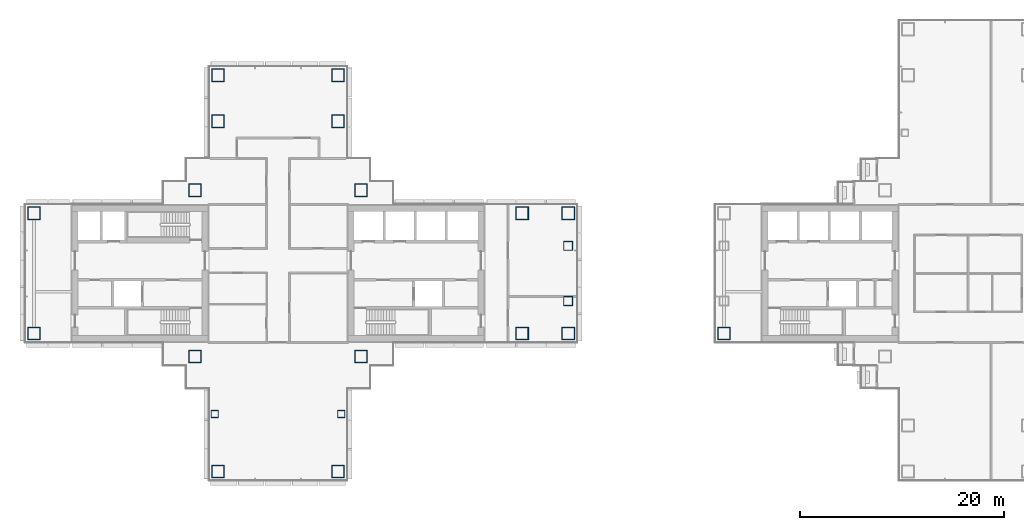
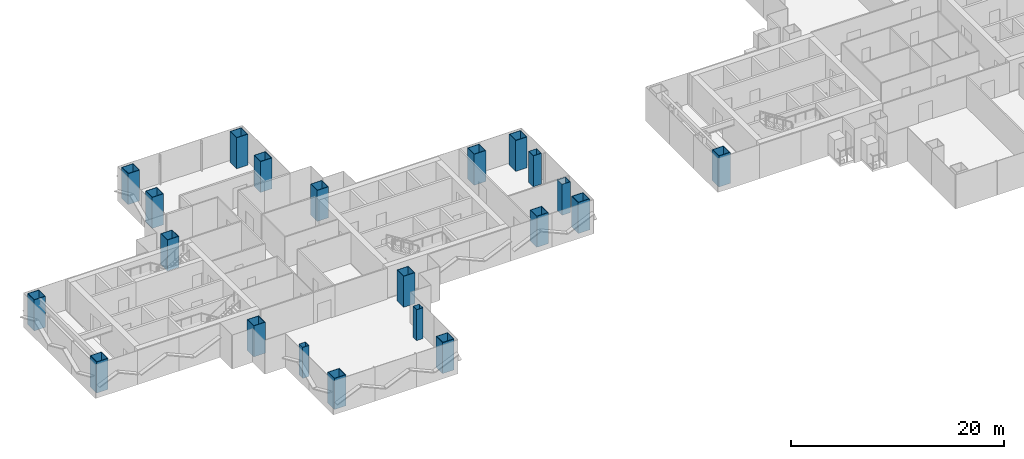
# One storey, part 1 of 19: 21 columns.
"""IFC4 building model written with IfcOpenShell, lengths in metres."""

import ifcopenshell
import ifcopenshell.guid

model = None  # the IFC model being written
_history = None  # IfcOwnerHistory: only IFC2X3 demands one
_inside = {}  # id of a spatial element -> (the spatial element, [elements in it])
_under = {}  # id of a project, library or spatial element -> (it, [spatial elements below it])
_declared = {}  # id of a project -> (the project, [libraries it declares])
_typed = {}  # id of a type object -> (the type object, [elements of that type])
_made_of = {}  # id of a material, layer set ... -> (it, [elements and type objects made of it])


def new_model(schema):
    """Start an empty IFC model of exactly this schema.

    Asked for "IFC4X3", IfcOpenShell would pick the latest addendum, in which some entities
    have other attributes; the version numbers below select the first issue.
    IFC2X3 requires an IfcOwnerHistory on every rooted entity: one is made here for all.
    """
    global model, _history
    if schema == "IFC4X3":
        model = ifcopenshell.file(schema_version=(4, 3, 0, 0))
    else:
        model = ifcopenshell.file(schema=schema)
    _inside.clear()
    _under.clear()
    _declared.clear()
    _typed.clear()
    _made_of.clear()
    _history = None
    if model.schema == "IFC2X3":
        org = make("IfcOrganization", Name="unknown")
        user = make(
            "IfcPersonAndOrganization",
            ThePerson=make("IfcPerson", FamilyName="unknown"),
            TheOrganization=org,
        )
        app = make(
            "IfcApplication",
            ApplicationDeveloper=org,
            Version="unknown",
            ApplicationFullName="unknown",
            ApplicationIdentifier="unknown",
        )
        _history = make(
            "IfcOwnerHistory",
            OwningUser=user,
            OwningApplication=app,
            ChangeAction="ADDED",
            CreationDate=0,
        )
    return model


def make(cls, **values):
    """One entity of the class cls with the attributes given. An attribute that is None is left unset."""
    return model.create_entity(
        cls, **{name: value for name, value in values.items() if value is not None}
    )


def rooted(cls, **values):
    """An entity with a GlobalId (a new one), such as an element, a storey or a relation."""
    return make(cls, GlobalId=ifcopenshell.guid.new(), OwnerHistory=_history, **values)


def si_unit(unit_type, name, prefix=None):
    """IfcSIUnit, for example si_unit("LENGTHUNIT", "METRE", prefix="MILLI")."""
    return make("IfcSIUnit", UnitType=unit_type, Prefix=prefix, Name=name)


def assignment(units):
    """IfcUnitAssignment: the units of a project."""
    return None if units is None else make("IfcUnitAssignment", Units=units)


def point(xyz):
    """IfcCartesianPoint."""
    return None if xyz is None else make("IfcCartesianPoint", Coordinates=xyz)


def direction(xyz):
    """IfcDirection."""
    return None if xyz is None else make("IfcDirection", DirectionRatios=xyz)


def frame(location, z_axis=None, x_axis=None):
    """IfcAxis2Placement3D, a coordinate frame: its origin and axes. An axis left out is left unset."""
    return make(
        "IfcAxis2Placement3D",
        Location=point(location),
        Axis=direction(z_axis),
        RefDirection=direction(x_axis),
    )


def frame_2d(location, x_axis=None):
    """IfcAxis2Placement2D, a coordinate frame in the plane: its origin and x axis."""
    return make(
        "IfcAxis2Placement2D", Location=point(location), RefDirection=direction(x_axis)
    )


def origin():
    """The frame at (0, 0, 0) with its axes left unset."""
    return frame((0.0, 0.0, 0.0))


def origin_2d():
    """The frame at (0, 0) in the plane with its x axis left unset."""
    return frame_2d((0.0, 0.0))


def place(relative_to, where):
    """IfcLocalPlacement: puts the frame where relative to a parent placement (None: the world)."""
    return make(
        "IfcLocalPlacement", PlacementRelTo=relative_to, RelativePlacement=where
    )


def context(
    kind, dimensions, precision=None, world=None, true_north=None, identifier=None
):
    """IfcGeometricRepresentationContext, for example the 3D "Model" context."""
    return make(
        "IfcGeometricRepresentationContext",
        ContextIdentifier=identifier,
        ContextType=kind,
        CoordinateSpaceDimension=dimensions,
        Precision=precision,
        WorldCoordinateSystem=world,
        TrueNorth=true_north,
    )


def subcontext(parent, identifier, kind, view, scale=None):
    """IfcGeometricRepresentationSubContext, for example "Body" below "Model"."""
    return make(
        "IfcGeometricRepresentationSubContext",
        ContextIdentifier=identifier,
        ContextType=kind,
        ParentContext=parent,
        TargetScale=scale,
        TargetView=view,
    )


def project(units=None, contexts=None):
    """IfcProject with its units and contexts."""
    return rooted(
        "IfcProject",
        Name="project",
        RepresentationContexts=contexts,
        UnitsInContext=assignment(units),
    )


def spatial(cls, under=None, at=None, **own):
    """A site, building, storey or space (cls), placed at a placement, below another one or the project."""
    s = rooted(cls, ObjectPlacement=at, **own)
    if under is not None:
        _under.setdefault(under.id(), (under, []))[1].append(s)
    return s


def profile(cls, at=None, kind="AREA", **sizes):
    """A parametric profile (cls). Its sizes go by their IFC names, for example OverallWidth=200.0."""
    return make(cls, ProfileType=kind, Position=at, **sizes)


def hollow_rectangle(**sizes):
    """IfcRectangleHollowProfileDef."""
    return profile("IfcRectangleHollowProfileDef", **sizes)


def extrude(swept, where, along, depth):
    """IfcExtrudedAreaSolid: the profile swept, set in the frame where, extruded along a direction by depth."""
    return make(
        "IfcExtrudedAreaSolid",
        SweptArea=swept,
        Position=where,
        ExtrudedDirection=direction(along),
        Depth=depth,
    )


def shape(context_of_items, identifier, shape_type, items):
    """IfcShapeRepresentation: the items that make up one representation, for example the "Body"."""
    return make(
        "IfcShapeRepresentation",
        ContextOfItems=context_of_items,
        RepresentationIdentifier=identifier,
        RepresentationType=shape_type,
        Items=items,
    )


def material(Name=None, Category=None):
    """IfcMaterial."""
    return make("IfcMaterial", Name=Name, Category=Category)


def material_profile(
    of_material, cross_section, Name=None, Category=None, Priority=None
):
    """IfcMaterialProfile: a cross section and its material."""
    return make(
        "IfcMaterialProfile",
        Name=Name,
        Material=of_material,
        Profile=cross_section,
        Priority=Priority,
        Category=Category,
    )


def profile_set(profiles, Name=None, composite=None):
    """IfcMaterialProfileSet."""
    return make(
        "IfcMaterialProfileSet",
        Name=Name,
        MaterialProfiles=profiles,
        CompositeProfile=composite,
    )


def made_of(thing, what):
    """Note that an element or type object is made of a material, layer set ...; save() writes the relation."""
    if what is not None:
        _made_of.setdefault(what.id(), (what, []))[1].append(thing)
    return thing


def type_object(cls, material=None, **own):
    """A type object (cls), such as IfcWallType, which elements share."""
    return made_of(rooted(cls, **own), material)


def element(
    cls,
    number,
    at=None,
    inside=None,
    cuts=None,
    type_object=None,
    material=None,
    context=None,
    identifier="Body",
    shape_type=None,
    held_by="IfcProductDefinitionShape",
    body=None,
    shapes=None,
    **own,
):
    """One element of the class cls, such as IfcWall. Its Tag is "e" and its number.

    at: its placement. inside: the storey or other place that contains it. cuts: it is an
    opening in that element (IfcRelVoidsElement). A single representation is given by context,
    identifier, shape_type and body (its items); several are given by shapes. held_by: the class
    of the entity that holds the representations. save() writes the other relations.
    """
    e = rooted(cls, Tag="e%d" % number, ObjectPlacement=at, **own)
    if body is not None:
        shapes = [shape(context, identifier, shape_type, body)]
    if shapes is not None:
        e.Representation = make(held_by, Representations=shapes)
    if inside is not None:
        _inside.setdefault(inside.id(), (inside, []))[1].append(e)
    if cuts is not None:
        rooted(
            "IfcRelVoidsElement", RelatingBuildingElement=cuts, RelatedOpeningElement=e
        )
    if type_object is not None:
        _typed.setdefault(type_object.id(), (type_object, []))[1].append(e)
    return made_of(e, material)


def aggregate(whole, parts):
    """IfcRelAggregates: a whole, such as a stair, and the parts it consists of."""
    return rooted("IfcRelAggregates", RelatingObject=whole, RelatedObjects=parts)


def save(model, path):
    """Write the relations noted so far, then the file.

    IfcRelAggregates (storeys below a building ...), IfcRelContainedInSpatialStructure (elements
    in a storey), IfcRelDefinesByType, IfcRelAssociatesMaterial and IfcRelDeclares: one each for
    every whole, place, type object, material and project.
    """
    for whole, parts in _under.values():
        aggregate(whole, parts)
    for where, things in _inside.values():
        rooted(
            "IfcRelContainedInSpatialStructure",
            RelatedElements=things,
            RelatingStructure=where,
        )
    for kind, things in _typed.values():
        rooted("IfcRelDefinesByType", RelatedObjects=things, RelatingType=kind)
    for what, things in _made_of.values():
        rooted("IfcRelAssociatesMaterial", RelatedObjects=things, RelatingMaterial=what)
    for by, libraries in _declared.values():
        rooted("IfcRelDeclares", RelatingContext=by, RelatedDefinitions=libraries)
    model.write(path)


model = new_model("IFC4")

# Units and contexts
model_context = context("Model", 3, precision=1e-05, world=origin(), true_north=direction((0.0, 1.0)))
body_context = subcontext(model_context, "Body", "Model", "MODEL_VIEW")
ifc_project = project(units=[si_unit("LENGTHUNIT", "METRE"), si_unit("AREAUNIT", "SQUARE_METRE"), si_unit("VOLUMEUNIT", "CUBIC_METRE"), si_unit("PLANEANGLEUNIT", "RADIAN"), si_unit("MASSUNIT", "GRAM", prefix="KILO")], contexts=[model_context])

# Site, building, storey
site_placement = place(None, origin())
site = spatial("IfcSite", under=ifc_project, at=site_placement, CompositionType="ELEMENT")
building_placement = place(site_placement, origin())
building = spatial("IfcBuilding", under=site, at=building_placement, Name="Shamsa Quay Exchange Towers", CompositionType="ELEMENT")
storey_placement = place(building_placement, frame((0.0, 0.0, 93.60009765625)))
storey = spatial("IfcBuildingStorey", under=building, at=storey_placement, Name="L21", CompositionType="ELEMENT", Elevation=93.60009765625)

# Columns
ifc_material_1 = material(Name="Concrete-filled steel tube S355 / C80/95", Category="concrete")
ifc_material_profile_1 = material_profile(ifc_material_1, hollow_rectangle(XDim=1.25, YDim=1.25, WallThickness=0.050048828125, at=origin_2d()), Name="CFT 1250x1250x50")
ifc_profile_set_1 = profile_set([ifc_material_profile_1], Name="Concrete-filled steel tube S355 / C80/95")
column_type_1 = type_object("IfcColumnType", Name="Column CFT 1250x1250x50", PredefinedType="COLUMN", material=ifc_profile_set_1)
for number, where, name in (
    (1, (-25.625, 8.125, 0.0), "Mega column T1-CM01"),
    (2, (-25.625, -8.125, 0.0), "Mega column T1-CM02"),
    (3, (-41.875, 8.125, 0.0), "Mega column T1-CM03"),
    (4, (-41.875, -8.125, 0.0), "Mega column T1-CM04"),
    (5, (-9.875, -5.875, 0.0), "Mega column T1-CM05"),
    (6, (-5.375, -5.875, 0.0), "Mega column T1-CM06"),
    (7, (-9.875, 5.875, 0.0), "Mega column T1-CM07"),
    (8, (-5.375, 5.875, 0.0), "Mega column T1-CM08"),
    (9, (-57.625, -5.875, 0.0), "Mega column T1-CM09"),
    (10, (-57.625, 5.875, 0.0), "Mega column T1-CM11"),
    (11, (-39.625, 14.875, 0.0), "Mega column T1-CM13"),
    (12, (-39.625, 19.375, 0.0), "Mega column T1-CM14"),
    (13, (-27.875, 14.875, 0.0), "Mega column T1-CM16"),
    (14, (-27.875, 19.375, 0.0), "Mega column T1-CM17"),
    (15, (-39.625, -19.375, 0.0), "Mega column T1-CM20"),
    (16, (-27.875, -19.375, 0.0), "Mega column T1-CM23"),
    (17, (9.875, -5.875, 0.0), "Mega column T2-CM19"),
):
    element("IfcColumn", number, at=place(storey_placement, frame(where)), inside=storey, type_object=column_type_1, Name=name, PredefinedType="COLUMN", context=body_context, shape_type="SweptSolid", body=[
        extrude(hollow_rectangle(XDim=1.25, YDim=1.25, WallThickness=0.050048828125, at=origin_2d()), origin(), (0.0, 0.0, 1.0), 3.5498046875),
    ])
ifc_material_2 = material(Name="Concrete-filled steel tube S355 / C60/75", Category="concrete")
ifc_material_profile_2 = material_profile(ifc_material_2, hollow_rectangle(XDim=0.699951171875, YDim=0.699951171875, WallThickness=0.02490234375, at=origin_2d()), Name="CFT 700x700x25")
ifc_profile_set_2 = profile_set([ifc_material_profile_2], Name="Concrete-filled steel tube S355 / C60/75")
column_type_2 = type_object("IfcColumnType", Name="Column CFT 700x700x25", PredefinedType="COLUMN", material=ifc_profile_set_2)
for number, where, name in (
    (18, (-39.9375, -13.75, 0.0), "Perimeter column T1-CP19"),
    (19, (-27.5625, -13.75, 0.0), "Perimeter column T1-CP22"),
):
    element("IfcColumn", number, at=place(storey_placement, frame(where)), inside=storey, type_object=column_type_2, Name=name, PredefinedType="COLUMN", context=body_context, shape_type="SweptSolid", body=[
        extrude(hollow_rectangle(XDim=0.699951171875, YDim=0.699951171875, WallThickness=0.02490234375, at=origin_2d()), origin(), (0.0, 0.0, 1.0), 3.5498046875),
    ])
ifc_material_3 = material(Name="Concrete-filled steel tube S355 / C70/85", Category="concrete")
ifc_material_profile_3 = material_profile(ifc_material_3, hollow_rectangle(XDim=0.89990234375, YDim=0.89990234375, WallThickness=0.035888671875, at=origin_2d()), Name="CFT 900x900x36")
ifc_profile_set_3 = profile_set([ifc_material_profile_3], Name="Concrete-filled steel tube S355 / C70/85")
column_type_3 = type_object("IfcColumnType", Name="Landing column CFT 900x900x36", PredefinedType="COLUMN", material=ifc_profile_set_3)
for number, where, name in (
    (20, (-5.375, -2.699951171875, 0.0), "Landing column T1 S"),
    (21, (-5.375, 2.699951171875, 0.0), "Landing column T1 N"),
):
    element("IfcColumn", number, at=place(storey_placement, frame(where)), inside=storey, type_object=column_type_3, Name=name, PredefinedType="COLUMN", context=body_context, shape_type="SweptSolid", body=[
        extrude(hollow_rectangle(XDim=0.89990234375, YDim=0.89990234375, WallThickness=0.035888671875, at=origin_2d()), origin(), (0.0, 0.0, 1.0), 3.5498046875),
    ])

save(model, "model.ifc")
